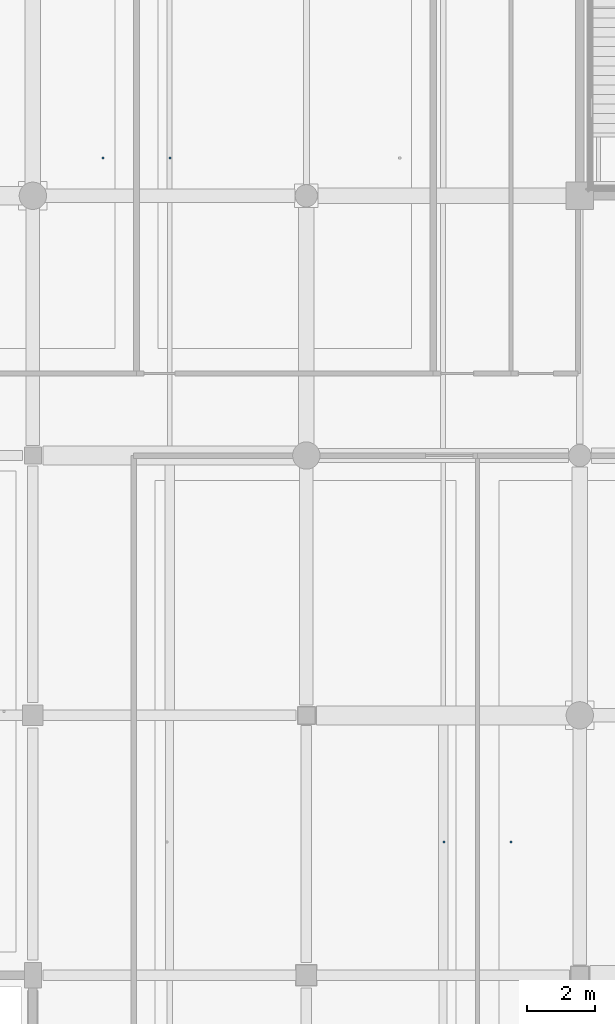
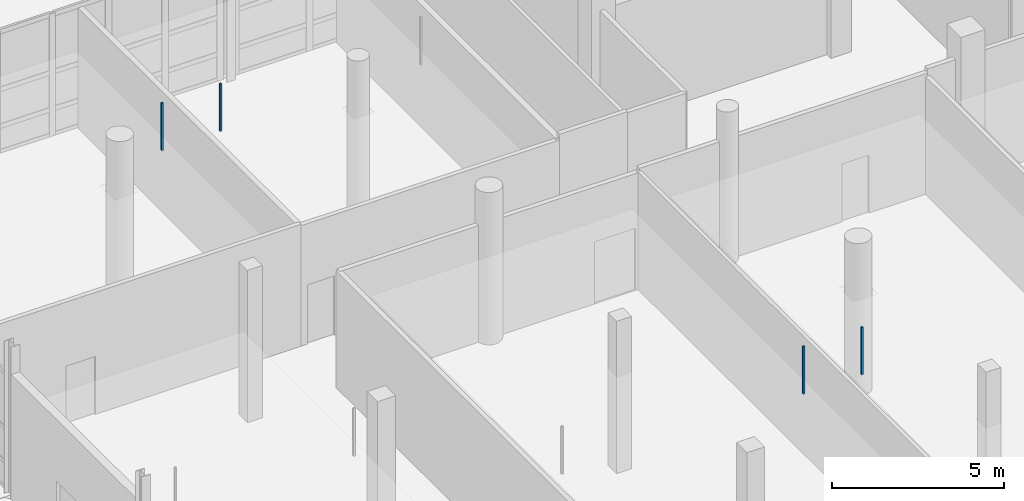
# One storey, part 93 of 126: 4 discrete accessories.
"""IFC4 building model written with IfcOpenShell, lengths in metres."""

from ifc_helpers import new_model, si_unit, direction, frame, origin, origin_2d, place, context, subcontext, project, spatial, rectangle, extrude, material, type_object, element, save


model = new_model("IFC4")

# Units and contexts
model_context = context("Model", 3, precision=1e-05, world=origin(), true_north=direction((0.0, 1.0)))
body_context = subcontext(model_context, "Body", "Model", "MODEL_VIEW")
ifc_project = project(units=[si_unit("LENGTHUNIT", "METRE"), si_unit("AREAUNIT", "SQUARE_METRE"), si_unit("VOLUMEUNIT", "CUBIC_METRE"), si_unit("PLANEANGLEUNIT", "RADIAN"), si_unit("MASSUNIT", "GRAM", prefix="KILO")], contexts=[model_context])

# Site, building, storey
site_placement = place(None, origin())
site = spatial("IfcSite", under=ifc_project, at=site_placement, CompositionType="ELEMENT")
building_placement = place(site_placement, origin())
building = spatial("IfcBuilding", under=site, at=building_placement, Name="Khelvaren Railside Concert Hall", CompositionType="ELEMENT")
storey_placement = place(building_placement, origin())
storey = spatial("IfcBuildingStorey", under=building, at=storey_placement, Name="L00", CompositionType="ELEMENT", Elevation=0.0)

# Discrete accessories
ifc_material = material(Name="Galvanised steel acoustic ceiling hanger rod", Category="steel")
discrete_accessory_type = type_object("IfcDiscreteAccessoryType", Name="BRK62", PredefinedType="BRACKET", material=ifc_material)
for number, where, z_axis, x_axis, name in (
    (1, (164.029052734375, 11.5, 3.429931640625), (0.0, 0.0, 1.0), (1.0, 0.0, 0.0), "Acoustic Ceiling Suspension Bracket 36-2"),
    (2, (165.989013671875, 11.5, 3.429931640625), (0.0, 0.0, 1.0), (1.0, 0.0, 0.0), "Acoustic Ceiling Suspension Bracket 37-1"),
    (3, (154.052978515625, 31.5, 3.429931640625), (0.0, 0.0, 1.0), (1.0, 0.0, 0.0), "Acoustic Ceiling Suspension Bracket 39-2"),
    (4, (156.012939453125, 31.5, 3.429931640625), (0.0, 0.0, 1.0), (1.0, 0.0, 0.0), "Acoustic Ceiling Suspension Bracket 40-1"),
):
    element("IfcDiscreteAccessory", number, at=place(storey_placement, frame(where, z_axis=z_axis, x_axis=x_axis)), inside=storey, type_object=discrete_accessory_type, Name=name, PredefinedType="BRACKET", context=body_context, shape_type="SweptSolid", body=[
        extrude(rectangle(XDim=0.06005859375, YDim=0.06005859375, at=origin_2d()), origin(), (0.0, 0.0, 1.0), 1.68994140625),
    ])

save(model, "model.ifc")
